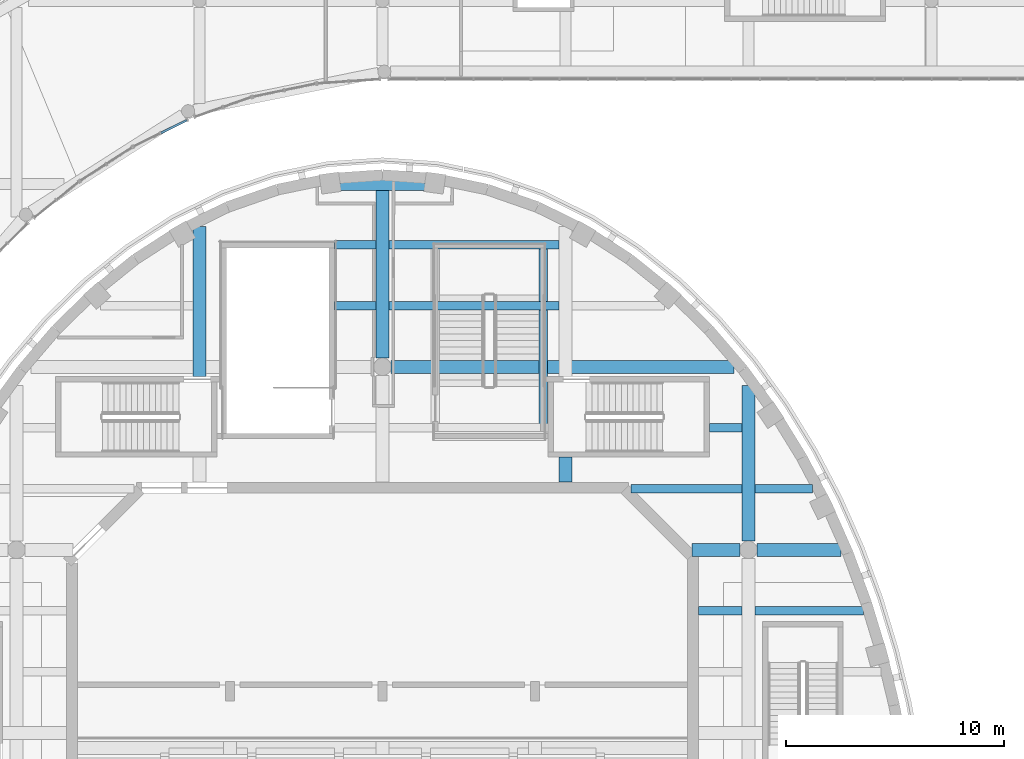
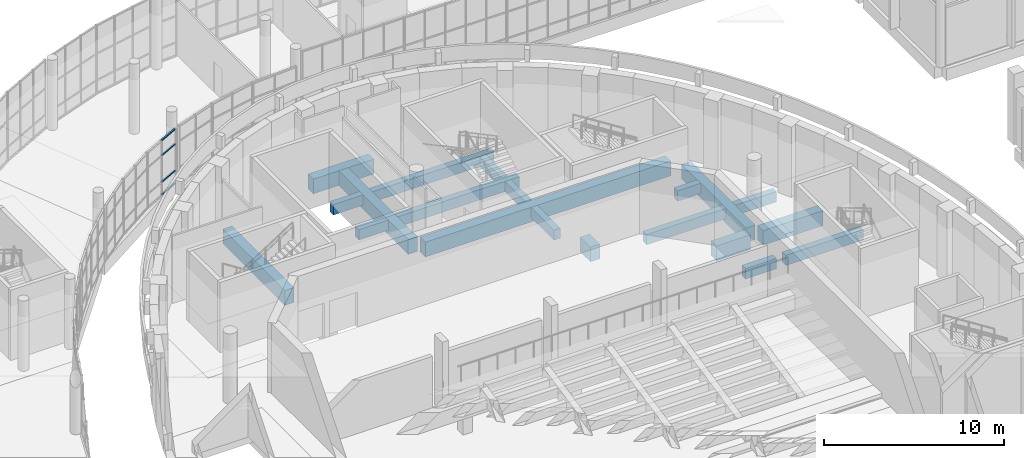
# One storey, part 28 of 119: 18 beams, 4 members, 1 element without a shape of its own.
"""IFC4 building model written with IfcOpenShell, lengths in metres."""

from ifc_helpers import new_model, si_unit, direction, frame, origin, origin_2d, place, context, subcontext, project, spatial, rectangle, extrude, material, layer, layer_set, material_profile, profile_set, type_object, element, aggregate, save


model = new_model("IFC4")

# Units and contexts
model_context = context("Model", 3, precision=1e-05, world=origin(), true_north=direction((0.0, 1.0)))
body_context = subcontext(model_context, "Body", "Model", "MODEL_VIEW")
ifc_project = project(units=[si_unit("LENGTHUNIT", "METRE"), si_unit("AREAUNIT", "SQUARE_METRE"), si_unit("VOLUMEUNIT", "CUBIC_METRE"), si_unit("PLANEANGLEUNIT", "RADIAN"), si_unit("MASSUNIT", "GRAM", prefix="KILO")], contexts=[model_context])

# Site, building, storey
site_placement = place(None, origin())
site = spatial("IfcSite", under=ifc_project, at=site_placement, CompositionType="ELEMENT")
building_placement = place(site_placement, origin())
building = spatial("IfcBuilding", under=site, at=building_placement, Name="Larchfold Concert Hall", CompositionType="ELEMENT")
storey_placement = place(building_placement, frame((0.0, 0.0, 4.800048828125)))
storey = spatial("IfcBuildingStorey", under=building, at=storey_placement, Name="L01", CompositionType="ELEMENT", Elevation=4.800048828125)

# Curtain wall, members
ifc_material_1 = material(Name="Anodised graphite aluminium curtain wall", Category="aluminium")
ifc_layer = layer(ifc_material_1, 0.14990234375)
ifc_layer_set = layer_set([ifc_layer], Name="Anodised graphite aluminium curtain wall")
curtain_wall_type = type_object("IfcCurtainWallType", Name="Curtain wall WG", PredefinedType="NOTDEFINED", material=ifc_layer_set)
curtain_wall_placement = place(storey_placement, origin())
curtain_wall = element("IfcCurtainWall", 1, at=curtain_wall_placement, inside=storey, type_object=curtain_wall_type, Name="Curtain wall CW0162", PredefinedType="NOTDEFINED")
ifc_material_2 = material(Name="Anodised graphite aluminium transom", Category="aluminium")
ifc_material_profile_1 = material_profile(ifc_material_2, rectangle(XDim=0.10009765625, YDim=0.080078125, at=origin_2d()))
ifc_profile_set_1 = profile_set([ifc_material_profile_1], Name="Anodised graphite aluminium transom")
member_type = type_object("IfcMemberType", Name="Aluminium transom 80x100", PredefinedType="USERDEFINED", material=ifc_profile_set_1)
member_1_placement = place(storey_placement, frame((32.43603515625, 120.536376953125, 0.0400390625), z_axis=(0.896919943894, 0.44219296042, 0.0), x_axis=(-0.44219296042, 0.896919943894, 0.0)))
member_1 = element("IfcMember", 2, at=member_1_placement, type_object=member_type, Name="CW0162 transom 2.1", ObjectType="TRANSOM", PredefinedType="USERDEFINED", context=body_context, shape_type="SweptSolid", body=[
    extrude(rectangle(XDim=0.10009765625, YDim=0.080078125, at=origin_2d()), origin(), (0.0, 0.0, 1.0), 1.324462890625),
])
member_2_placement = place(storey_placement, frame((32.43603515625, 120.536376953125, 0.89990234375), z_axis=(0.896919943894, 0.44219296042, 0.0), x_axis=(-0.44219296042, 0.896919943894, 0.0)))
member_2 = element("IfcMember", 3, at=member_2_placement, type_object=member_type, Name="CW0162 transom 2.2", ObjectType="TRANSOM", PredefinedType="USERDEFINED", context=body_context, shape_type="SweptSolid", body=[
    extrude(rectangle(XDim=0.10009765625, YDim=0.080078125, at=origin_2d()), origin(), (0.0, 0.0, 1.0), 1.324462890625),
])
member_3_placement = place(storey_placement, frame((32.43603515625, 120.536376953125, 2.699951171875), z_axis=(0.896919943894, 0.44219296042, 0.0), x_axis=(-0.44219296042, 0.896919943894, 0.0)))
member_3 = element("IfcMember", 4, at=member_3_placement, type_object=member_type, Name="CW0162 transom 2.3", ObjectType="TRANSOM", PredefinedType="USERDEFINED", context=body_context, shape_type="SweptSolid", body=[
    extrude(rectangle(XDim=0.10009765625, YDim=0.080078125, at=origin_2d()), origin(), (0.0, 0.0, 1.0), 1.324462890625),
])
member_4_placement = place(storey_placement, frame((32.43603515625, 120.536376953125, 3.7099609375), z_axis=(0.896919943894, 0.44219296042, 0.0), x_axis=(-0.44219296042, 0.896919943894, 0.0)))
member_4 = element("IfcMember", 5, at=member_4_placement, type_object=member_type, Name="CW0162 transom 2.4", ObjectType="TRANSOM", PredefinedType="USERDEFINED", context=body_context, shape_type="SweptSolid", body=[
    extrude(rectangle(XDim=0.10009765625, YDim=0.080078125, at=origin_2d()), origin(), (0.0, 0.0, 1.0), 1.324462890625),
])
aggregate(curtain_wall, [member_1, member_2, member_3, member_4])

# Beams
ifc_material_3 = material(Name="Concrete C35/45", Category="concrete")
ifc_material_profile_2 = material_profile(ifc_material_3, rectangle(XDim=0.39990234375, YDim=0.699951171875, at=origin_2d()))
ifc_profile_set_2 = profile_set([ifc_material_profile_2], Name="Concrete C35/45")
beam_type_1 = type_object("IfcBeamType", Name="Beam RC 400x700", PredefinedType="BEAM", material=ifc_profile_set_2)
beam_1_placement = place(storey_placement, frame((57.110107421875, 98.60009765625, -0.550048828125), z_axis=(1.0, 0.0, 0.0), x_axis=(0.0, 1.0, 0.0)))
element("IfcBeam", 6, at=beam_1_placement, inside=storey, type_object=beam_type_1, Name="Beam B1251", PredefinedType="BEAM", context=body_context, shape_type="SweptSolid", body=[
    extrude(rectangle(XDim=0.39990234375, YDim=0.699951171875, at=origin_2d()), origin(), (0.0, 0.0, 1.0), 1.989990234375),
])
beam_2_placement = place(storey_placement, frame((59.699951171875, 98.60009765625, -0.550048828125), z_axis=(1.0, 0.0, 0.0), x_axis=(0.0, 1.0, 0.0)))
element("IfcBeam", 7, at=beam_2_placement, inside=storey, type_object=beam_type_1, Name="Beam B1252", PredefinedType="BEAM", context=body_context, shape_type="SweptSolid", body=[
    extrude(rectangle(XDim=0.39990234375, YDim=0.699951171875, at=origin_2d()), origin(), (0.0, 0.0, 1.0), 4.9765625),
])
beam_3_placement = place(storey_placement, frame((54.01416015625, 104.199951171875, -0.550048828125), z_axis=(1.0, 0.0, 0.0), x_axis=(0.0, 1.0, 0.0)))
element("IfcBeam", 8, at=beam_3_placement, inside=storey, type_object=beam_type_1, Name="Beam B1255", PredefinedType="BEAM", context=body_context, shape_type="SweptSolid", body=[
    extrude(rectangle(XDim=0.39990234375, YDim=0.699951171875, at=origin_2d()), origin(), (0.0, 0.0, 1.0), 5.0859375),
])
beam_4_placement = place(storey_placement, frame((59.699951171875, 104.199951171875, -0.550048828125), z_axis=(1.0, 0.0, 0.0), x_axis=(0.0, 1.0, 0.0)))
element("IfcBeam", 9, at=beam_4_placement, inside=storey, type_object=beam_type_1, Name="Beam B1256", PredefinedType="BEAM", context=body_context, shape_type="SweptSolid", body=[
    extrude(rectangle(XDim=0.39990234375, YDim=0.699951171875, at=origin_2d()), origin(), (0.0, 0.0, 1.0), 2.639404296875),
])
beam_5_placement = place(storey_placement, frame((57.60009765625, 107.0, -0.550048828125), z_axis=(1.0, 0.0, 0.0), x_axis=(0.0, 1.0, 0.0)))
element("IfcBeam", 10, at=beam_5_placement, inside=storey, type_object=beam_type_1, Name="Beam B1260", PredefinedType="BEAM", context=body_context, shape_type="SweptSolid", body=[
    extrude(rectangle(XDim=0.39990234375, YDim=0.699951171875, at=origin_2d()), origin(), (0.0, 0.0, 1.0), 1.5),
])
beam_6_placement = place(storey_placement, frame((40.39990234375, 112.60009765625, -0.550048828125), z_axis=(1.0, 0.0, 0.0), x_axis=(0.0, 1.0, 0.0)))
element("IfcBeam", 11, at=beam_6_placement, inside=storey, type_object=beam_type_1, Name="Beam B1262", PredefinedType="BEAM", context=body_context, shape_type="SweptSolid", body=[
    extrude(rectangle(XDim=0.39990234375, YDim=0.699951171875, at=origin_2d()), origin(), (0.0, 0.0, 1.0), 1.900146484375),
])
beam_7_placement = place(storey_placement, frame((42.89990234375, 112.60009765625, -0.550048828125), z_axis=(1.0, 0.0, 0.0), x_axis=(0.0, 1.0, 0.0)))
element("IfcBeam", 12, at=beam_7_placement, inside=storey, type_object=beam_type_1, Name="Beam B1263", PredefinedType="BEAM", context=body_context, shape_type="SweptSolid", body=[
    extrude(rectangle(XDim=0.39990234375, YDim=0.699951171875, at=origin_2d()), origin(), (0.0, 0.0, 1.0), 7.800048828125),
])
beam_8_placement = place(storey_placement, frame((40.39990234375, 115.39990234375, -0.550048828125), z_axis=(1.0, 0.0, 0.0), x_axis=(0.0, 1.0, 0.0)))
element("IfcBeam", 13, at=beam_8_placement, inside=storey, type_object=beam_type_1, Name="Beam B1265", PredefinedType="BEAM", context=body_context, shape_type="SweptSolid", body=[
    extrude(rectangle(XDim=0.39990234375, YDim=0.699951171875, at=origin_2d()), origin(), (0.0, 0.0, 1.0), 1.900146484375),
])
beam_9_placement = place(storey_placement, frame((42.89990234375, 115.39990234375, -0.550048828125), z_axis=(1.0, 0.0, 0.0), x_axis=(0.0, 1.0, 0.0)))
element("IfcBeam", 14, at=beam_9_placement, inside=storey, type_object=beam_type_1, Name="Beam B1266", PredefinedType="BEAM", context=body_context, shape_type="SweptSolid", body=[
    extrude(rectangle(XDim=0.39990234375, YDim=0.699951171875, at=origin_2d()), origin(), (0.0, 0.0, 1.0), 7.800048828125),
])
beam_10_placement = place(storey_placement, frame((49.97509765625, 106.949951171875, -0.550048828125), z_axis=(0.0, 1.0, 0.0), x_axis=(-1.0, 0.0, 0.0)))
element("IfcBeam", 15, at=beam_10_placement, inside=storey, type_object=beam_type_1, Name="Beam B2069", PredefinedType="BEAM", context=body_context, shape_type="SweptSolid", body=[
    extrude(rectangle(XDim=0.39990234375, YDim=0.699951171875, at=origin_2d()), origin(), (0.0, 0.0, 1.0), 8.550048828125),
])
ifc_material_4 = material(Name="Concrete C35/45", Category="concrete")
ifc_material_profile_3 = material_profile(ifc_material_4, rectangle(XDim=0.60009765625, YDim=1.0, at=origin_2d()))
ifc_profile_set_3 = profile_set([ifc_material_profile_3], Name="Concrete C35/45")
beam_type_2 = type_object("IfcBeamType", Name="Beam RC 600x1000", PredefinedType="BEAM", material=ifc_profile_set_3)
beam_11_placement = place(storey_placement, frame((34.199951171875, 109.35009765625, -0.699951171875), z_axis=(0.0, 1.0, 0.0), x_axis=(-1.0, 0.0, 0.0)))
element("IfcBeam", 16, at=beam_11_placement, inside=storey, type_object=beam_type_2, Name="Beam B1188", PredefinedType="BEAM", context=body_context, shape_type="SweptSolid", body=[
    extrude(rectangle(XDim=0.60009765625, YDim=1.0, at=origin_2d()), origin(), (0.0, 0.0, 1.0), 6.893798828125),
])
beam_12_placement = place(storey_placement, frame((42.60009765625, 110.1982421875, -0.699951171875), z_axis=(0.0, 1.0, 0.0), x_axis=(-1.0, 0.0, 0.0)))
element("IfcBeam", 17, at=beam_12_placement, inside=storey, type_object=beam_type_2, Name="Beam B1190", PredefinedType="BEAM", context=body_context, shape_type="SweptSolid", body=[
    extrude(rectangle(XDim=0.60009765625, YDim=1.0, at=origin_2d()), origin(), (0.0, 0.0, 1.0), 8.17138671875),
])
beam_13_placement = place(storey_placement, frame((51.0, 104.510009765625, -0.699951171875), z_axis=(0.0, 1.0, 0.0), x_axis=(-1.0, 0.0, 0.0)))
element("IfcBeam", 18, at=beam_13_placement, inside=storey, type_object=beam_type_2, Name="Beam B1191", PredefinedType="BEAM", context=body_context, shape_type="SweptSolid", body=[
    extrude(rectangle(XDim=0.60009765625, YDim=1.0, at=origin_2d()), origin(), (0.0, 0.0, 1.0), 1.139892578125),
])
beam_14_placement = place(storey_placement, frame((59.39990234375, 101.79833984375, -0.699951171875), z_axis=(0.0, 1.0, 0.0), x_axis=(-1.0, 0.0, 0.0)))
element("IfcBeam", 19, at=beam_14_placement, inside=storey, type_object=beam_type_2, Name="Beam B1196", PredefinedType="BEAM", context=body_context, shape_type="SweptSolid", body=[
    extrude(rectangle(XDim=0.60009765625, YDim=1.0, at=origin_2d()), origin(), (0.0, 0.0, 1.0), 7.134765625),
])
beam_15_placement = place(storey_placement, frame((56.814208984375, 101.39990234375, -0.699951171875), z_axis=(1.0, 0.0, 0.0), x_axis=(0.0, 1.0, 0.0)))
element("IfcBeam", 20, at=beam_15_placement, inside=storey, type_object=beam_type_2, Name="Beam B1213", PredefinedType="BEAM", context=body_context, shape_type="SweptSolid", body=[
    extrude(rectangle(XDim=0.60009765625, YDim=1.0, at=origin_2d()), origin(), (0.0, 0.0, 1.0), 2.1875),
])
beam_16_placement = place(storey_placement, frame((59.79833984375, 101.39990234375, -0.699951171875), z_axis=(1.0, 0.0, 0.0), x_axis=(0.0, 1.0, 0.0)))
element("IfcBeam", 21, at=beam_16_placement, inside=storey, type_object=beam_type_2, Name="Beam B1214", PredefinedType="BEAM", context=body_context, shape_type="SweptSolid", body=[
    extrude(rectangle(XDim=0.60009765625, YDim=1.0, at=origin_2d()), origin(), (0.0, 0.0, 1.0), 3.844970703125),
])
beam_17_placement = place(storey_placement, frame((42.998291015625, 109.800048828125, -0.699951171875), z_axis=(1.0, 0.0, 0.0), x_axis=(0.0, 1.0, 0.0)))
element("IfcBeam", 22, at=beam_17_placement, inside=storey, type_object=beam_type_2, Name="Beam B1217", PredefinedType="BEAM", context=body_context, shape_type="SweptSolid", body=[
    extrude(rectangle(XDim=0.60009765625, YDim=1.0, at=origin_2d()), origin(), (0.0, 0.0, 1.0), 15.73779296875),
])
beam_18_placement = place(storey_placement, frame((40.659912109375, 118.199951171875, -0.699951171875), z_axis=(1.0, 0.0, 0.0), x_axis=(0.0, 1.0, 0.0)))
element("IfcBeam", 23, at=beam_18_placement, inside=storey, type_object=beam_type_2, Name="Beam B1218", PredefinedType="BEAM", context=body_context, shape_type="SweptSolid", body=[
    extrude(rectangle(XDim=0.60009765625, YDim=1.0, at=origin_2d()), origin(), (0.0, 0.0, 1.0), 3.88037109375),
])

save(model, "model.ifc")
